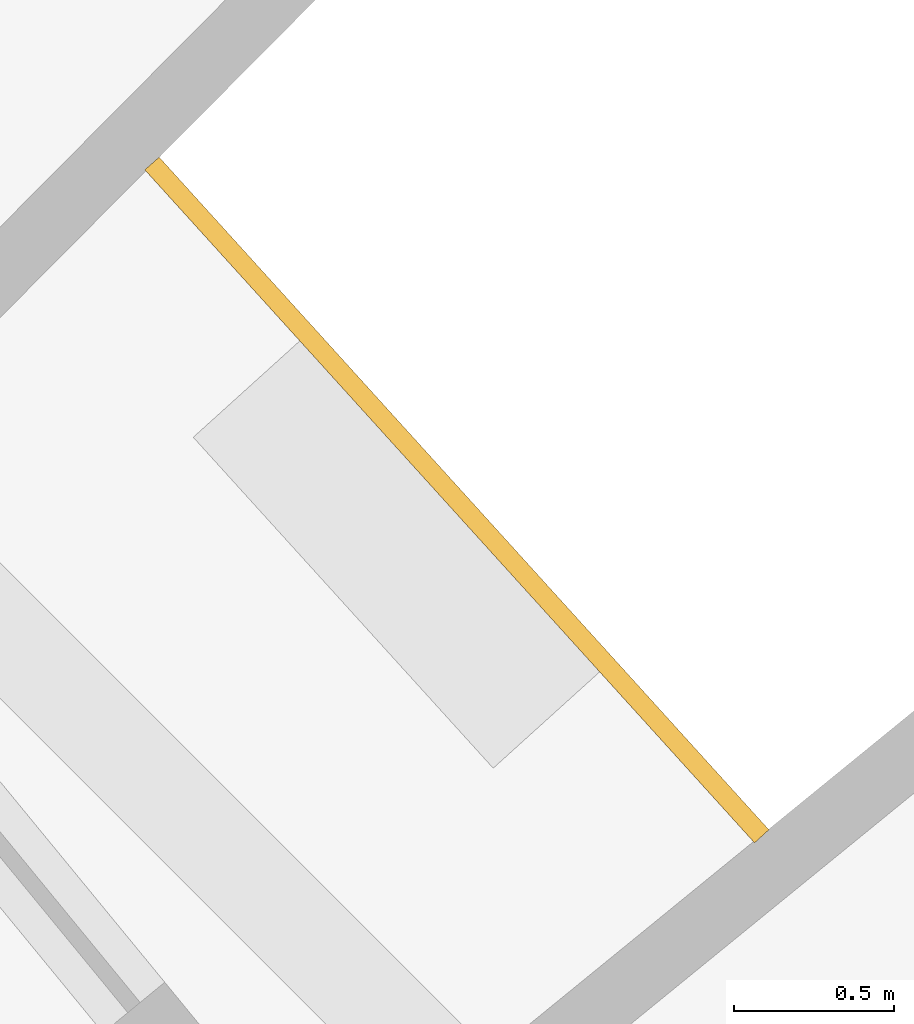
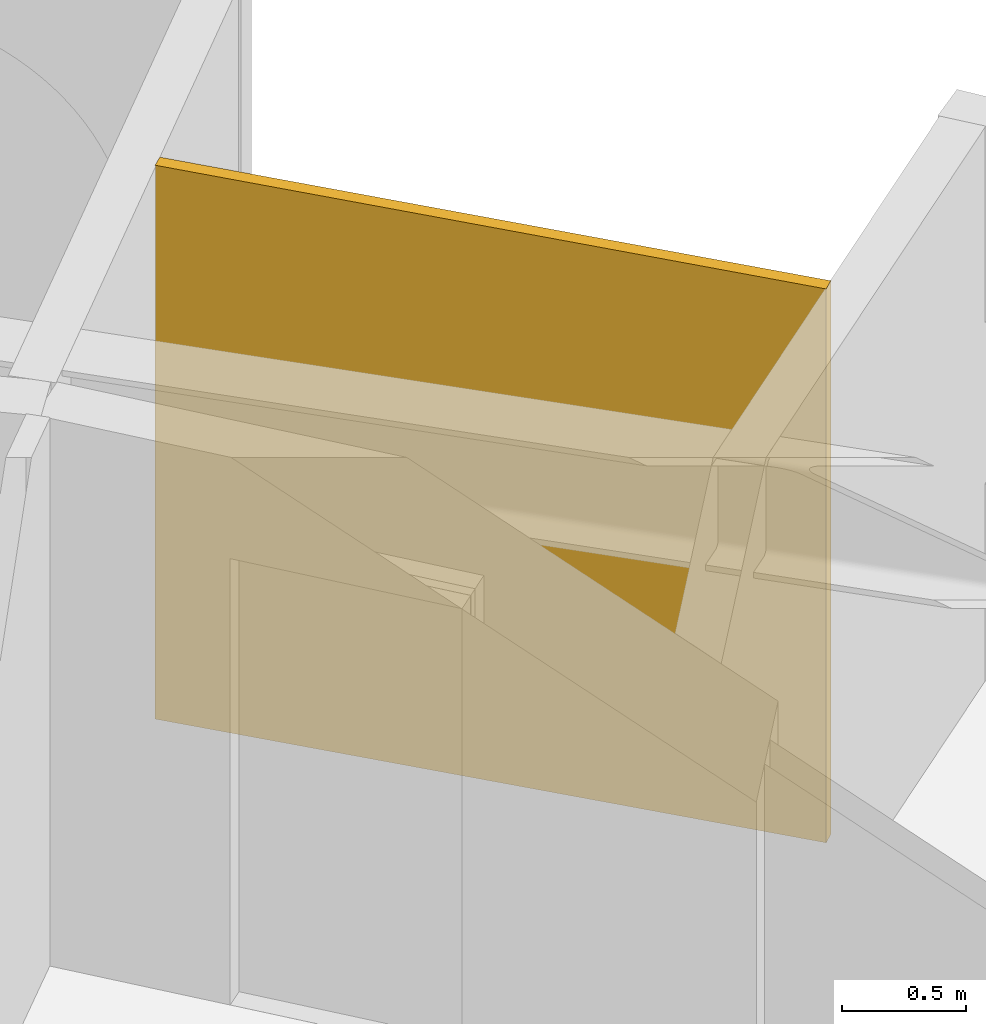
# One storey, part 26 of 26: 1 railing.
"""IFC4 building model written with IfcOpenShell, lengths in metres."""

from ifc_helpers import new_model, si_unit, direction, frame, origin, place, context, subcontext, project, spatial, polyline, outline, extrude, material, layer, layer_set, type_object, element, save


model = new_model("IFC4")

# Units and contexts
model_context = context("Model", 3, precision=1e-05, world=origin(), true_north=direction((0.0, 1.0)))
body_context = subcontext(model_context, "Body", "Model", "MODEL_VIEW")
ifc_project = project(units=[si_unit("LENGTHUNIT", "METRE"), si_unit("AREAUNIT", "SQUARE_METRE"), si_unit("VOLUMEUNIT", "CUBIC_METRE"), si_unit("PLANEANGLEUNIT", "RADIAN"), si_unit("MASSUNIT", "GRAM", prefix="KILO")], contexts=[model_context])

# Site, building, storey
site_placement = place(None, origin())
site = spatial("IfcSite", under=ifc_project, at=site_placement, CompositionType="ELEMENT")
building_placement = place(site_placement, origin())
building = spatial("IfcBuilding", under=site, at=building_placement, Name="Maasbend Ring Residences", CompositionType="ELEMENT")
storey_placement = place(building_placement, frame((0.0, 0.0, 91.050048828125)))
storey = spatial("IfcBuildingStorey", under=building, at=storey_placement, Name="L26", CompositionType="ELEMENT", Elevation=91.050048828125)

# Railing
ifc_material = material(Name="Pale anodised perforated aluminium", Category="aluminium")
ifc_layer = layer(ifc_material, 0.06005859375)
ifc_layer_set = layer_set([ifc_layer], Name="SCREEN-P")
railing_type = type_object("IfcRailingType", Name="SCREEN-P", PredefinedType="GUARDRAIL", material=ifc_layer_set)
railing_placement = place(storey_placement, frame((0.0, 0.0, -0.030029296875)))
element("IfcRailing", 1, at=railing_placement, inside=storey, type_object=railing_type, Name="Perforated screen guard 1", PredefinedType="GUARDRAIL", context=body_context, shape_type="SweptSolid", body=[
    extrude(outline(polyline([(22.4169921875, 18.39697265625), (20.506103515625, 20.506103515625), (20.551025390625, 20.5458984375), (22.4619140625, 18.43798828125), (22.4169921875, 18.39697265625)])), origin(), (0.0, 0.0, 1.0), 2.72998046875),
])

save(model, "model.ifc")
